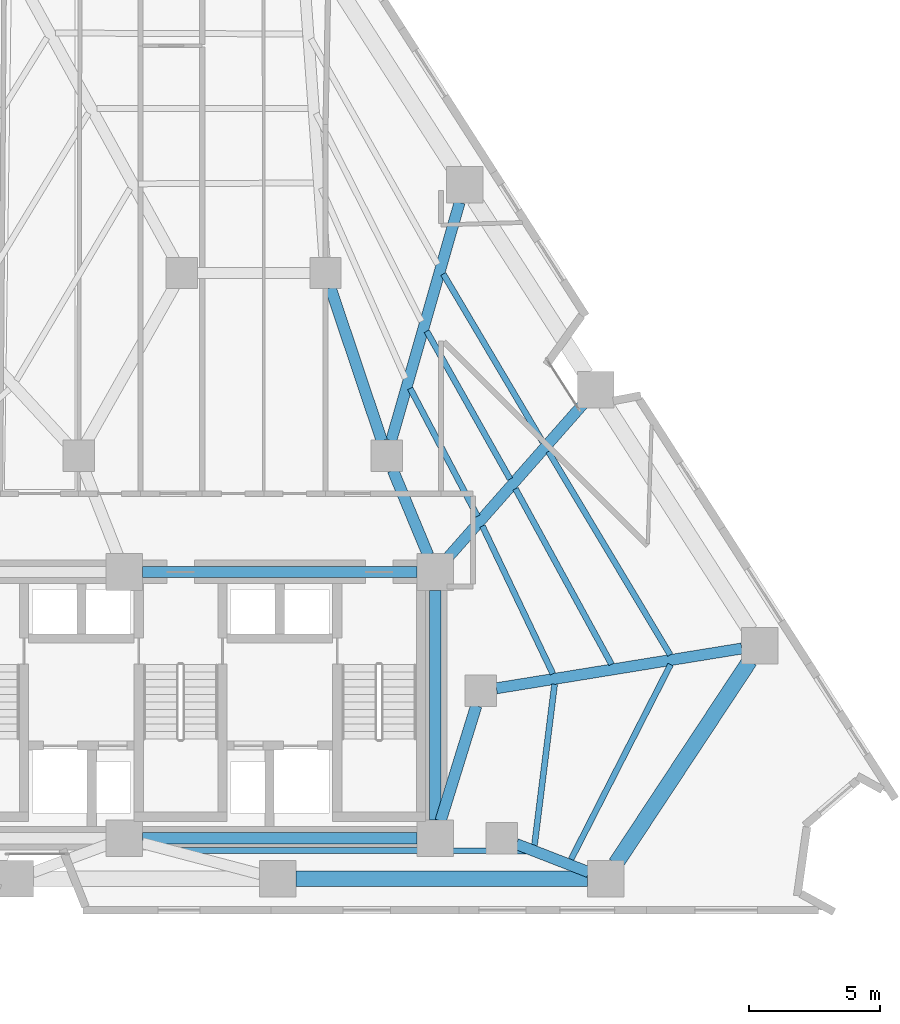
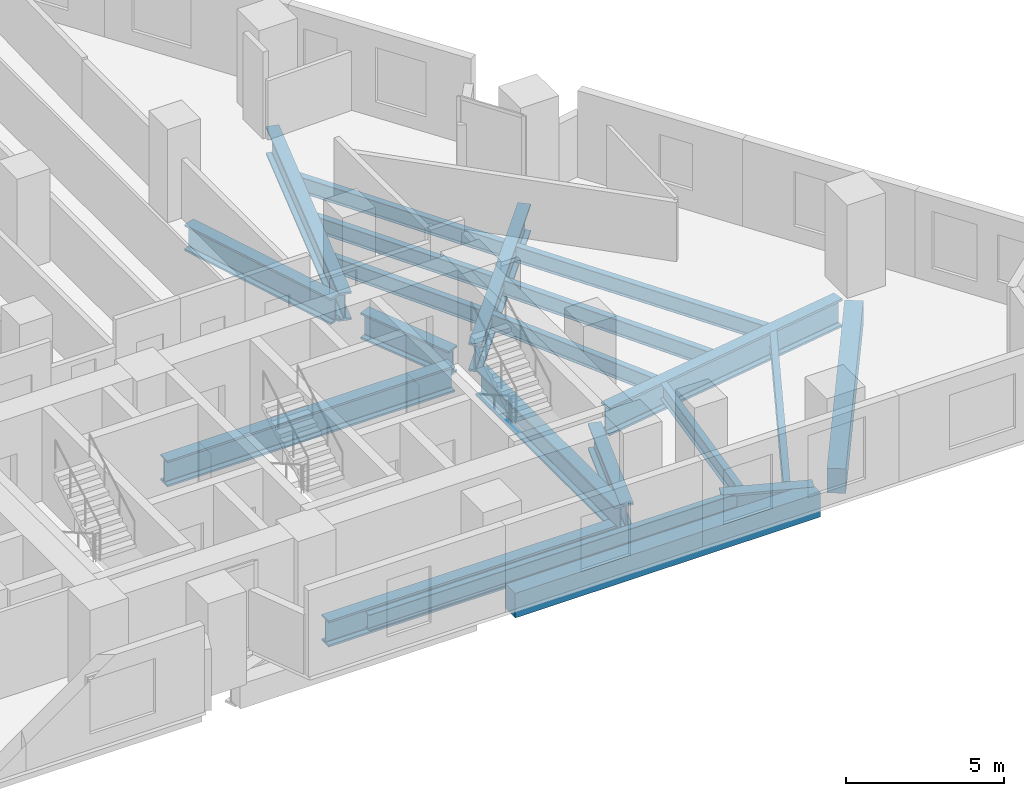
# One storey, part 4 of 15: 21 beams.
"""IFC4 building model written with IfcOpenShell, lengths in metres."""

import ifcopenshell
import ifcopenshell.guid

model = None  # the IFC model being written
_history = None  # IfcOwnerHistory: only IFC2X3 demands one
_inside = {}  # id of a spatial element -> (the spatial element, [elements in it])
_under = {}  # id of a project, library or spatial element -> (it, [spatial elements below it])
_declared = {}  # id of a project -> (the project, [libraries it declares])
_typed = {}  # id of a type object -> (the type object, [elements of that type])
_made_of = {}  # id of a material, layer set ... -> (it, [elements and type objects made of it])


def new_model(schema):
    """Start an empty IFC model of exactly this schema.

    Asked for "IFC4X3", IfcOpenShell would pick the latest addendum, in which some entities
    have other attributes; the version numbers below select the first issue.
    IFC2X3 requires an IfcOwnerHistory on every rooted entity: one is made here for all.
    """
    global model, _history
    if schema == "IFC4X3":
        model = ifcopenshell.file(schema_version=(4, 3, 0, 0))
    else:
        model = ifcopenshell.file(schema=schema)
    _inside.clear()
    _under.clear()
    _declared.clear()
    _typed.clear()
    _made_of.clear()
    _history = None
    if model.schema == "IFC2X3":
        org = make("IfcOrganization", Name="unknown")
        user = make(
            "IfcPersonAndOrganization",
            ThePerson=make("IfcPerson", FamilyName="unknown"),
            TheOrganization=org,
        )
        app = make(
            "IfcApplication",
            ApplicationDeveloper=org,
            Version="unknown",
            ApplicationFullName="unknown",
            ApplicationIdentifier="unknown",
        )
        _history = make(
            "IfcOwnerHistory",
            OwningUser=user,
            OwningApplication=app,
            ChangeAction="ADDED",
            CreationDate=0,
        )
    return model


def make(cls, **values):
    """One entity of the class cls with the attributes given. An attribute that is None is left unset."""
    return model.create_entity(
        cls, **{name: value for name, value in values.items() if value is not None}
    )


def rooted(cls, **values):
    """An entity with a GlobalId (a new one), such as an element, a storey or a relation."""
    return make(cls, GlobalId=ifcopenshell.guid.new(), OwnerHistory=_history, **values)


def si_unit(unit_type, name, prefix=None):
    """IfcSIUnit, for example si_unit("LENGTHUNIT", "METRE", prefix="MILLI")."""
    return make("IfcSIUnit", UnitType=unit_type, Prefix=prefix, Name=name)


def assignment(units):
    """IfcUnitAssignment: the units of a project."""
    return None if units is None else make("IfcUnitAssignment", Units=units)


def point(xyz):
    """IfcCartesianPoint."""
    return None if xyz is None else make("IfcCartesianPoint", Coordinates=xyz)


def direction(xyz):
    """IfcDirection."""
    return None if xyz is None else make("IfcDirection", DirectionRatios=xyz)


def frame(location, z_axis=None, x_axis=None):
    """IfcAxis2Placement3D, a coordinate frame: its origin and axes. An axis left out is left unset."""
    return make(
        "IfcAxis2Placement3D",
        Location=point(location),
        Axis=direction(z_axis),
        RefDirection=direction(x_axis),
    )


def frame_2d(location, x_axis=None):
    """IfcAxis2Placement2D, a coordinate frame in the plane: its origin and x axis."""
    return make(
        "IfcAxis2Placement2D", Location=point(location), RefDirection=direction(x_axis)
    )


def origin():
    """The frame at (0, 0, 0) with its axes left unset."""
    return frame((0.0, 0.0, 0.0))


def origin_2d():
    """The frame at (0, 0) in the plane with its x axis left unset."""
    return frame_2d((0.0, 0.0))


def place(relative_to, where):
    """IfcLocalPlacement: puts the frame where relative to a parent placement (None: the world)."""
    return make(
        "IfcLocalPlacement", PlacementRelTo=relative_to, RelativePlacement=where
    )


def context(
    kind, dimensions, precision=None, world=None, true_north=None, identifier=None
):
    """IfcGeometricRepresentationContext, for example the 3D "Model" context."""
    return make(
        "IfcGeometricRepresentationContext",
        ContextIdentifier=identifier,
        ContextType=kind,
        CoordinateSpaceDimension=dimensions,
        Precision=precision,
        WorldCoordinateSystem=world,
        TrueNorth=true_north,
    )


def subcontext(parent, identifier, kind, view, scale=None):
    """IfcGeometricRepresentationSubContext, for example "Body" below "Model"."""
    return make(
        "IfcGeometricRepresentationSubContext",
        ContextIdentifier=identifier,
        ContextType=kind,
        ParentContext=parent,
        TargetScale=scale,
        TargetView=view,
    )


def project(units=None, contexts=None):
    """IfcProject with its units and contexts."""
    return rooted(
        "IfcProject",
        Name="project",
        RepresentationContexts=contexts,
        UnitsInContext=assignment(units),
    )


def spatial(cls, under=None, at=None, **own):
    """A site, building, storey or space (cls), placed at a placement, below another one or the project."""
    s = rooted(cls, ObjectPlacement=at, **own)
    if under is not None:
        _under.setdefault(under.id(), (under, []))[1].append(s)
    return s


def profile(cls, at=None, kind="AREA", **sizes):
    """A parametric profile (cls). Its sizes go by their IFC names, for example OverallWidth=200.0."""
    return make(cls, ProfileType=kind, Position=at, **sizes)


def rectangle(**sizes):
    """IfcRectangleProfileDef."""
    return profile("IfcRectangleProfileDef", **sizes)


def i_section(**sizes):
    """IfcIShapeProfileDef."""
    return profile("IfcIShapeProfileDef", **sizes)


def extrude(swept, where, along, depth):
    """IfcExtrudedAreaSolid: the profile swept, set in the frame where, extruded along a direction by depth."""
    return make(
        "IfcExtrudedAreaSolid",
        SweptArea=swept,
        Position=where,
        ExtrudedDirection=direction(along),
        Depth=depth,
    )


def shape(context_of_items, identifier, shape_type, items):
    """IfcShapeRepresentation: the items that make up one representation, for example the "Body"."""
    return make(
        "IfcShapeRepresentation",
        ContextOfItems=context_of_items,
        RepresentationIdentifier=identifier,
        RepresentationType=shape_type,
        Items=items,
    )


def material(Name=None, Category=None):
    """IfcMaterial."""
    return make("IfcMaterial", Name=Name, Category=Category)


def material_profile(
    of_material, cross_section, Name=None, Category=None, Priority=None
):
    """IfcMaterialProfile: a cross section and its material."""
    return make(
        "IfcMaterialProfile",
        Name=Name,
        Material=of_material,
        Profile=cross_section,
        Priority=Priority,
        Category=Category,
    )


def profile_set(profiles, Name=None, composite=None):
    """IfcMaterialProfileSet."""
    return make(
        "IfcMaterialProfileSet",
        Name=Name,
        MaterialProfiles=profiles,
        CompositeProfile=composite,
    )


def made_of(thing, what):
    """Note that an element or type object is made of a material, layer set ...; save() writes the relation."""
    if what is not None:
        _made_of.setdefault(what.id(), (what, []))[1].append(thing)
    return thing


def type_object(cls, material=None, **own):
    """A type object (cls), such as IfcWallType, which elements share."""
    return made_of(rooted(cls, **own), material)


def element(
    cls,
    number,
    at=None,
    inside=None,
    cuts=None,
    type_object=None,
    material=None,
    context=None,
    identifier="Body",
    shape_type=None,
    held_by="IfcProductDefinitionShape",
    body=None,
    shapes=None,
    **own,
):
    """One element of the class cls, such as IfcWall. Its Tag is "e" and its number.

    at: its placement. inside: the storey or other place that contains it. cuts: it is an
    opening in that element (IfcRelVoidsElement). A single representation is given by context,
    identifier, shape_type and body (its items); several are given by shapes. held_by: the class
    of the entity that holds the representations. save() writes the other relations.
    """
    e = rooted(cls, Tag="e%d" % number, ObjectPlacement=at, **own)
    if body is not None:
        shapes = [shape(context, identifier, shape_type, body)]
    if shapes is not None:
        e.Representation = make(held_by, Representations=shapes)
    if inside is not None:
        _inside.setdefault(inside.id(), (inside, []))[1].append(e)
    if cuts is not None:
        rooted(
            "IfcRelVoidsElement", RelatingBuildingElement=cuts, RelatedOpeningElement=e
        )
    if type_object is not None:
        _typed.setdefault(type_object.id(), (type_object, []))[1].append(e)
    return made_of(e, material)


def aggregate(whole, parts):
    """IfcRelAggregates: a whole, such as a stair, and the parts it consists of."""
    return rooted("IfcRelAggregates", RelatingObject=whole, RelatedObjects=parts)


def save(model, path):
    """Write the relations noted so far, then the file.

    IfcRelAggregates (storeys below a building ...), IfcRelContainedInSpatialStructure (elements
    in a storey), IfcRelDefinesByType, IfcRelAssociatesMaterial and IfcRelDeclares: one each for
    every whole, place, type object, material and project.
    """
    for whole, parts in _under.values():
        aggregate(whole, parts)
    for where, things in _inside.values():
        rooted(
            "IfcRelContainedInSpatialStructure",
            RelatedElements=things,
            RelatingStructure=where,
        )
    for kind, things in _typed.values():
        rooted("IfcRelDefinesByType", RelatedObjects=things, RelatingType=kind)
    for what, things in _made_of.values():
        rooted("IfcRelAssociatesMaterial", RelatedObjects=things, RelatingMaterial=what)
    for by, libraries in _declared.values():
        rooted("IfcRelDeclares", RelatingContext=by, RelatedDefinitions=libraries)
    model.write(path)


model = new_model("IFC4")

# Units and contexts
model_context = context("Model", 3, precision=1e-05, world=origin(), true_north=direction((0.0, 1.0)))
body_context = subcontext(model_context, "Body", "Model", "MODEL_VIEW")
ifc_project = project(units=[si_unit("LENGTHUNIT", "METRE"), si_unit("AREAUNIT", "SQUARE_METRE"), si_unit("VOLUMEUNIT", "CUBIC_METRE"), si_unit("PLANEANGLEUNIT", "RADIAN"), si_unit("MASSUNIT", "GRAM", prefix="KILO")], contexts=[model_context])

# Site, building, storey
site_placement = place(None, origin())
site = spatial("IfcSite", under=ifc_project, at=site_placement, CompositionType="ELEMENT")
building_placement = place(site_placement, origin())
building = spatial("IfcBuilding", under=site, at=building_placement, Name="Almagre Mirador Tower", CompositionType="ELEMENT")
storey_placement = place(building_placement, frame((0.0, 0.0, 39.0)))
storey = spatial("IfcBuildingStorey", under=building, at=storey_placement, Name="L08", CompositionType="ELEMENT", Elevation=39.0)

# Beams
ifc_material_1 = material(Name="Steel ASTM A992 Grade 50", Category="steel")
ifc_material_profile_1 = material_profile(ifc_material_1, i_section(OverallWidth=0.22802734375, OverallDepth=0.60791015625, WebThickness=0.01123046875, FlangeThickness=0.017333984375, FilletRadius=0.02001953125, at=origin_2d()), Name="W24X76")
ifc_profile_set_1 = profile_set([ifc_material_profile_1], Name="Steel ASTM A992 Grade 50")
beam_type_1 = type_object("IfcBeamType", Name="BM-JST-W24X76", PredefinedType="JOIST", material=ifc_profile_set_1)
beam_1_placement = place(storey_placement, frame((37.123779296875, 4.0849609375, -0.553955078125), z_axis=(0.999999653406, -0.000832578897, 0.0), x_axis=(0.000832578897, 0.999999653406, 0.0)))
element("IfcBeam", 1, at=beam_1_placement, inside=storey, type_object=beam_type_1, Name="L08 secondary floor joist PC03-PC04.3", PredefinedType="JOIST", context=body_context, shape_type="SweptSolid", body=[
    extrude(i_section(OverallWidth=0.22802734375, OverallDepth=0.60791015625, WebThickness=0.01123046875, FlangeThickness=0.017333984375, FilletRadius=0.02001953125, at=origin_2d()), origin(), (0.0, 0.0, 1.0), 13.48876953125),
])
beam_2_placement = place(storey_placement, frame((52.251708984375, 3.74462890625, -0.553955078125), z_axis=(0.454936985938, 0.890523631817, 0.0), x_axis=(-0.890523631817, 0.454936985938, 0.0)))
element("IfcBeam", 2, at=beam_2_placement, inside=storey, type_object=beam_type_1, Name="L08 secondary floor joist PC04-PC05.1", PredefinedType="JOIST", context=body_context, shape_type="SweptSolid", body=[
    extrude(i_section(OverallWidth=0.22802734375, OverallDepth=0.60791015625, WebThickness=0.01123046875, FlangeThickness=0.017333984375, FilletRadius=0.02001953125, at=origin_2d()), origin(), (0.0, 0.0, 1.0), 8.377685546875),
])
beam_3_placement = place(storey_placement, frame((50.850830078125, 4.283935546875, -0.553955078125), z_axis=(0.124000894941, 0.992282106084, 0.0), x_axis=(-0.992282106084, 0.124000894941, 0.0)))
element("IfcBeam", 3, at=beam_3_placement, inside=storey, type_object=beam_type_1, Name="L08 secondary floor joist PC04-PC05.3", PredefinedType="JOIST", context=body_context, shape_type="SweptSolid", body=[
    extrude(i_section(OverallWidth=0.22802734375, OverallDepth=0.60791015625, WebThickness=0.01123046875, FlangeThickness=0.017333984375, FilletRadius=0.02001953125, at=origin_2d()), origin(), (0.0, 0.0, 1.0), 6.215576171875),
])
beam_4_placement = place(storey_placement, frame((56.05029296875, 11.57568359375, -0.553955078125), z_axis=(-0.513855013217, 0.857877045614, 0.0), x_axis=(-0.857877045614, -0.513855013217, 0.0)))
element("IfcBeam", 4, at=beam_4_placement, inside=storey, type_object=beam_type_1, Name="L08 secondary floor joist PC05-PC06.1", PredefinedType="JOIST", context=body_context, shape_type="SweptSolid", body=[
    extrude(i_section(OverallWidth=0.22802734375, OverallDepth=0.60791015625, WebThickness=0.01123046875, FlangeThickness=0.017333984375, FilletRadius=0.02001953125, at=origin_2d()), origin(), (0.0, 0.0, 1.0), 9.079345703125),
])
beam_5_placement = place(storey_placement, frame((53.802001953125, 11.214111328125, -0.553955078125), z_axis=(-0.480025755473, 0.877254395305, 0.0), x_axis=(-0.877254395305, -0.480025755473, 0.0)))
element("IfcBeam", 5, at=beam_5_placement, inside=storey, type_object=beam_type_1, Name="L08 secondary floor joist PC05-PC06.2", PredefinedType="JOIST", context=body_context, shape_type="SweptSolid", body=[
    extrude(i_section(OverallWidth=0.22802734375, OverallDepth=0.60791015625, WebThickness=0.01123046875, FlangeThickness=0.017333984375, FilletRadius=0.02001953125, at=origin_2d()), origin(), (0.0, 0.0, 1.0), 7.66357421875),
])
beam_6_placement = place(storey_placement, frame((51.556640625, 10.853515625, -0.553955078125), z_axis=(-0.430677649627, 0.902505823866, 0.0), x_axis=(-0.902505823866, -0.430677649627, 0.0)))
element("IfcBeam", 6, at=beam_6_placement, inside=storey, type_object=beam_type_1, Name="L08 secondary floor joist PC05-PC06.3", PredefinedType="JOIST", context=body_context, shape_type="SweptSolid", body=[
    extrude(i_section(OverallWidth=0.22802734375, OverallDepth=0.60791015625, WebThickness=0.01123046875, FlangeThickness=0.017333984375, FilletRadius=0.02001953125, at=origin_2d()), origin(), (0.0, 0.0, 1.0), 6.26513671875),
])
beam_7_placement = place(storey_placement, frame((51.16796875, 19.72900390625, -0.553955078125), z_axis=(-0.509387024335, 0.860537540982, 0.0), x_axis=(-0.860537540982, -0.509387024335, 0.0)))
element("IfcBeam", 7, at=beam_7_placement, inside=storey, type_object=beam_type_1, Name="L08 secondary floor joist PC06-PC07.1", PredefinedType="JOIST", context=body_context, shape_type="SweptSolid", body=[
    extrude(i_section(OverallWidth=0.22802734375, OverallDepth=0.60791015625, WebThickness=0.01123046875, FlangeThickness=0.017333984375, FilletRadius=0.02001953125, at=origin_2d()), origin(), (0.0, 0.0, 1.0), 7.476806640625),
])
beam_8_placement = place(storey_placement, frame((49.91748046875, 18.3076171875, -0.553955078125), z_axis=(-0.490835301782, 0.871252378203, 0.0), x_axis=(-0.871252378203, -0.490835301782, 0.0)))
element("IfcBeam", 8, at=beam_8_placement, inside=storey, type_object=beam_type_1, Name="L08 secondary floor joist PC06-PC07.2", PredefinedType="JOIST", context=body_context, shape_type="SweptSolid", body=[
    extrude(i_section(OverallWidth=0.22802734375, OverallDepth=0.60791015625, WebThickness=0.01123046875, FlangeThickness=0.017333984375, FilletRadius=0.02001953125, at=origin_2d()), origin(), (0.0, 0.0, 1.0), 6.50048828125),
])
beam_9_placement = place(storey_placement, frame((48.668212890625, 16.88671875, -0.553955078125), z_axis=(-0.465804673837, 0.884887566774, 0.0), x_axis=(-0.884887566774, -0.465804673837, 0.0)))
element("IfcBeam", 9, at=beam_9_placement, inside=storey, type_object=beam_type_1, Name="L08 secondary floor joist PC06-PC07.3", PredefinedType="JOIST", context=body_context, shape_type="SweptSolid", body=[
    extrude(i_section(OverallWidth=0.22802734375, OverallDepth=0.60791015625, WebThickness=0.01123046875, FlangeThickness=0.017333984375, FilletRadius=0.02001953125, at=origin_2d()), origin(), (0.0, 0.0, 1.0), 5.528564453125),
])
ifc_material_2 = material(Name="Precast concrete C50/60", Category="concrete")
ifc_material_profile_2 = material_profile(ifc_material_2, rectangle(XDim=0.60009765625, YDim=0.949951171875, at=origin_2d()), Name="RC600X950")
ifc_profile_set_2 = profile_set([ifc_material_profile_2], Name="Precast concrete C50/60")
beam_type_2 = type_object("IfcBeamType", Name="BM-SPN-RC600X950", PredefinedType="SPANDREL", material=ifc_profile_set_2)
beam_10_placement = place(storey_placement, frame((41.72412109375, 3.0, -0.72509765625), z_axis=(1.0, 0.0, 0.0), x_axis=(0.0, 1.0, 0.0)))
element("IfcBeam", 10, at=beam_10_placement, inside=storey, type_object=beam_type_2, Name="L08 perimeter spandrel beam PC03-PC04", PredefinedType="SPANDREL", context=body_context, shape_type="SweptSolid", body=[
    extrude(rectangle(XDim=0.60009765625, YDim=0.949951171875, at=origin_2d()), origin(), (0.0, 0.0, 1.0), 11.159912109375),
])
beam_11_placement = place(storey_placement, frame((53.9697265625, 3.584228515625, -0.72509765625), z_axis=(0.550976725149, 0.834520609898, 0.0), x_axis=(-0.834520609898, 0.550976725149, 0.0)))
element("IfcBeam", 11, at=beam_11_placement, inside=storey, type_object=beam_type_2, Name="L08 perimeter spandrel beam PC04-PC05", PredefinedType="SPANDREL", context=body_context, shape_type="SweptSolid", body=[
    extrude(rectangle(XDim=0.60009765625, YDim=0.949951171875, at=origin_2d()), origin(), (0.0, 0.0, 1.0), 9.304443359375),
])
ifc_material_3 = material(Name="Steel ASTM A992 Grade 50", Category="steel")
ifc_material_profile_3 = material_profile(ifc_material_3, i_section(OverallWidth=0.43701171875, OverallDepth=1.010986328125, WebThickness=0.041015625, FlangeThickness=0.073974609375, FilletRadius=0.028076171875, at=origin_2d()), Name="W36X529")
ifc_profile_set_3 = profile_set([ifc_material_profile_3], Name="Steel ASTM A992 Grade 50")
beam_type_3 = type_object("IfcBeamType", Name="BM-STL-W36X529", PredefinedType="BEAM", material=ifc_profile_set_3)
for number, where, z_axis, x_axis, name in (
    (12, (35.85009765625, 4.550048828125, -0.755615234375), (1.0, 0.0, 0.0), (0.0, 1.0, 0.0), "L08 core tie girder CC2-CC3"),
    (13, (35.85009765625, 14.75, -0.755615234375), (1.0, 0.0, 0.0), (0.0, 1.0, 0.0), "L08 core tie girder CC5-CC6"),
):
    element("IfcBeam", number, at=place(storey_placement, frame(where, z_axis=z_axis, x_axis=x_axis)), inside=storey, type_object=beam_type_3, Name=name, PredefinedType="BEAM", context=body_context, shape_type="SweptSolid", body=[
        extrude(i_section(OverallWidth=0.43701171875, OverallDepth=1.010986328125, WebThickness=0.041015625, FlangeThickness=0.073974609375, FilletRadius=0.028076171875, at=origin_2d()), origin(), (0.0, 0.0, 1.0), 10.5),
    ])
beam_12_placement = place(storey_placement, frame((47.050048828125, 5.25, -0.755615234375), z_axis=(0.0, 1.0, 0.0), x_axis=(-1.0, 0.0, 0.0)))
element("IfcBeam", 14, at=beam_12_placement, inside=storey, type_object=beam_type_3, Name="L08 core tie girder CC3-CC6", PredefinedType="BEAM", context=body_context, shape_type="SweptSolid", body=[
    extrude(i_section(OverallWidth=0.43701171875, OverallDepth=1.010986328125, WebThickness=0.041015625, FlangeThickness=0.073974609375, FilletRadius=0.028076171875, at=origin_2d()), origin(), (0.0, 0.0, 1.0), 8.800048828125),
])
beam_13_placement = place(storey_placement, frame((48.62255859375, 9.626953125, -0.755615234375), z_axis=(-0.295888328273, -0.955222538046, 0.0), x_axis=(0.955222538046, -0.295888328273, 0.0)))
element("IfcBeam", 15, at=beam_13_placement, inside=storey, type_object=beam_type_3, Name="L08 core tie girder MC3-CC3", PredefinedType="BEAM", context=body_context, shape_type="SweptSolid", body=[
    extrude(i_section(OverallWidth=0.43701171875, OverallDepth=1.010986328125, WebThickness=0.041015625, FlangeThickness=0.073974609375, FilletRadius=0.028076171875, at=origin_2d()), origin(), (0.0, 0.0, 1.0), 4.61474609375),
])
beam_14_placement = place(storey_placement, frame((45.430419921875, 18.64599609375, -0.755615234375), z_axis=(0.383856635851, -0.923392702545, 0.0), x_axis=(0.923392702545, 0.383856635851, 0.0)))
element("IfcBeam", 16, at=beam_14_placement, inside=storey, type_object=beam_type_3, Name="L08 core tie girder MC5-CC6", PredefinedType="BEAM", context=body_context, shape_type="SweptSolid", body=[
    extrude(i_section(OverallWidth=0.43701171875, OverallDepth=1.010986328125, WebThickness=0.041015625, FlangeThickness=0.073974609375, FilletRadius=0.028076171875, at=origin_2d()), origin(), (0.0, 0.0, 1.0), 3.51904296875),
])
beam_15_placement = place(storey_placement, frame((43.041015625, 25.631103515625, -0.755615234375), z_axis=(0.318252395552, -0.948006019351, 0.0), x_axis=(0.948006019351, 0.318252395552, 0.0)))
element("IfcBeam", 17, at=beam_15_placement, inside=storey, type_object=beam_type_3, Name="L08 core tie girder MC6-MC5", PredefinedType="BEAM", context=body_context, shape_type="SweptSolid", body=[
    extrude(i_section(OverallWidth=0.43701171875, OverallDepth=1.010986328125, WebThickness=0.041015625, FlangeThickness=0.073974609375, FilletRadius=0.028076171875, at=origin_2d()), origin(), (0.0, 0.0, 1.0), 6.183837890625),
])
ifc_material_4 = material(Name="Steel ASTM A913 Grade 65", Category="steel")
ifc_material_profile_4 = material_profile(ifc_material_4, i_section(OverallWidth=0.424072265625, OverallDepth=1.092041015625, WebThickness=0.04541015625, FlangeThickness=0.08203125, FilletRadius=0.030029296875, at=origin_2d()), Name="W40X593")
ifc_profile_set_4 = profile_set([ifc_material_profile_4], Name="Steel ASTM A913 Grade 65")
beam_type_4 = type_object("IfcBeamType", Name="BM-STL-W40X593", PredefinedType="BEAM", material=ifc_profile_set_4)
beam_16_placement = place(storey_placement, frame((52.931640625, 3.25390625, -0.7958984375), z_axis=(-0.931955378588, 0.362572988957, 0.0), x_axis=(-0.362572988957, -0.931955378588, 0.0)))
element("IfcBeam", 18, at=beam_16_placement, inside=storey, type_object=beam_type_4, Name="L08 radial floor girder PC04-MC2", PredefinedType="BEAM", context=body_context, shape_type="SweptSolid", body=[
    extrude(i_section(OverallWidth=0.424072265625, OverallDepth=1.092041015625, WebThickness=0.04541015625, FlangeThickness=0.08203125, FilletRadius=0.030029296875, at=origin_2d()), origin(), (0.0, 0.0, 1.0), 2.974853515625),
])
beam_17_placement = place(storey_placement, frame((58.791015625, 11.82080078125, -0.7958984375), z_axis=(-0.987096387793, -0.160127203205, 0.0), x_axis=(0.160127203205, -0.987096387793, 0.0)))
element("IfcBeam", 19, at=beam_17_placement, inside=storey, type_object=beam_type_4, Name="L08 radial floor girder PC05-MC3", PredefinedType="BEAM", context=body_context, shape_type="SweptSolid", body=[
    extrude(i_section(OverallWidth=0.424072265625, OverallDepth=1.092041015625, WebThickness=0.04541015625, FlangeThickness=0.08203125, FilletRadius=0.030029296875, at=origin_2d()), origin(), (0.0, 0.0, 1.0), 9.521484375),
])
beam_18_placement = place(storey_placement, frame((52.7392578125, 21.207763671875, -0.7958984375), z_axis=(-0.661045445009, -0.750345866673, 0.0), x_axis=(0.750345866673, -0.661045445009, 0.0)))
element("IfcBeam", 20, at=beam_18_placement, inside=storey, type_object=beam_type_4, Name="L08 radial floor girder PC06-CC6", PredefinedType="BEAM", context=body_context, shape_type="SweptSolid", body=[
    extrude(i_section(OverallWidth=0.424072265625, OverallDepth=1.092041015625, WebThickness=0.04541015625, FlangeThickness=0.08203125, FilletRadius=0.030029296875, at=origin_2d()), origin(), (0.0, 0.0, 1.0), 7.906494140625),
])
beam_19_placement = place(storey_placement, frame((47.98486328125, 28.900146484375, -0.7958984375), z_axis=(-0.275954024649, -0.961170836158, 0.0), x_axis=(0.961170836158, -0.275954024649, 0.0)))
element("IfcBeam", 21, at=beam_19_placement, inside=storey, type_object=beam_type_4, Name="L08 radial floor girder PC07-MC5", PredefinedType="BEAM", context=body_context, shape_type="SweptSolid", body=[
    extrude(i_section(OverallWidth=0.424072265625, OverallDepth=1.092041015625, WebThickness=0.04541015625, FlangeThickness=0.08203125, FilletRadius=0.030029296875, at=origin_2d()), origin(), (0.0, 0.0, 1.0), 9.4921875),
])

save(model, "model.ifc")
